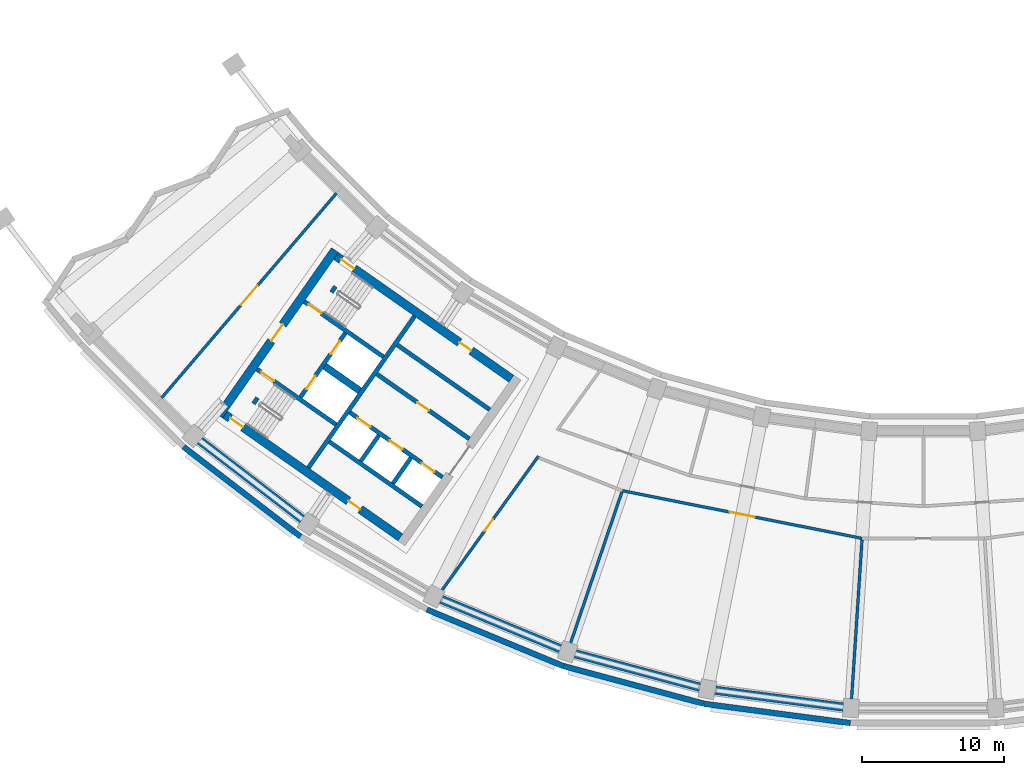
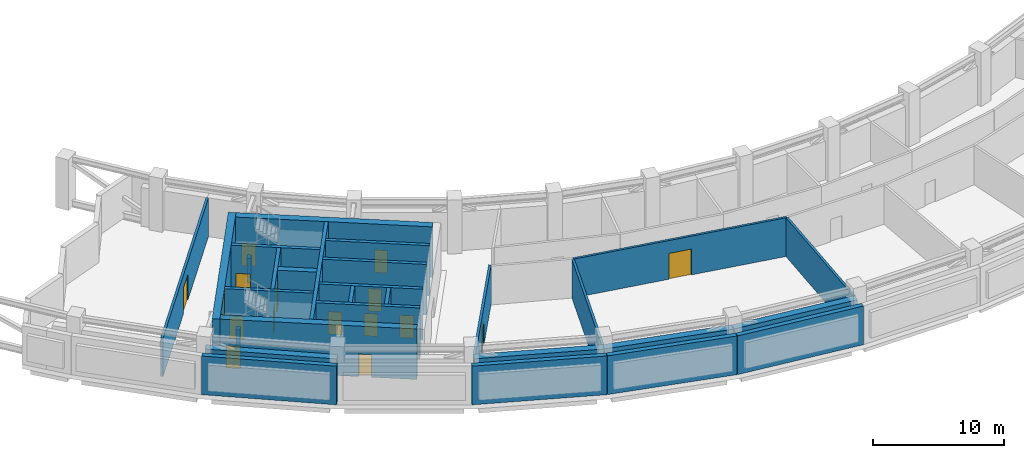
# One storey, part 5 of 24: 29 walls, 16 doors, 16 openings.
"""IFC4 building model written with IfcOpenShell, lengths in metres."""

from ifc_helpers import new_model, si_unit, direction, frame, frame_2d, origin, place, context, subcontext, project, spatial, rectangle, extrude, material, layer, layer_set, type_object, element, fill, save


model = new_model("IFC4")

# Units and contexts
model_context = context("Model", 3, precision=1e-05, world=origin(), true_north=direction((0.0, 1.0)))
body_context = subcontext(model_context, "Body", "Model", "MODEL_VIEW")
ifc_project = project(units=[si_unit("LENGTHUNIT", "METRE"), si_unit("AREAUNIT", "SQUARE_METRE"), si_unit("VOLUMEUNIT", "CUBIC_METRE"), si_unit("PLANEANGLEUNIT", "RADIAN"), si_unit("MASSUNIT", "GRAM", prefix="KILO")], contexts=[model_context])

# Site, building, storey
site_placement = place(None, origin())
site = spatial("IfcSite", under=ifc_project, at=site_placement, CompositionType="ELEMENT")
building_placement = place(site_placement, origin())
building = spatial("IfcBuilding", under=site, at=building_placement, Name="Qamariyya Broadcast Tower", CompositionType="ELEMENT")
storey_placement = place(building_placement, frame((0.0, 0.0, 198.699951171875)))
storey = spatial("IfcBuildingStorey", under=building, at=storey_placement, Name="L47", CompositionType="ELEMENT", Elevation=198.699951171875)

# Wall, opening, door
ifc_material_1 = material(Name="Concrete C60/75", Category="concrete")
ifc_layer_1 = layer(ifc_material_1, 0.60009765625)
ifc_layer_set_1 = layer_set([ifc_layer_1], Name="Core wall 600 mm Concrete C60/75")
wall_type_1 = type_object("IfcWallType", Name="Core wall 600 mm Concrete C60/75", PredefinedType="SHEAR", material=ifc_layer_set_1)
wall_1_placement = place(storey_placement, frame((-49.4833984375, -57.031494140625, 0.0), z_axis=(0.0, 0.0, 1.0), x_axis=(0.573560421458, 0.819163257805, 0.0)))
wall_1 = element("IfcWall", 1, at=wall_1_placement, inside=storey, type_object=wall_type_1, Name="k-W-L47-WH", PredefinedType="SHEAR", context=body_context, shape_type="SweptSolid", body=[
    extrude(rectangle(XDim=14.199951171875, YDim=0.60009765625, at=frame_2d((7.10009765625, 0.0))), origin(), (0.0, 0.0, 1.0), 4.699951171875),
])
opening_1_placement = place(wall_1_placement, frame((6.39990234375, 0.0, 0.0)))
opening_1 = element("IfcOpeningElement", 2, at=opening_1_placement, cuts=wall_1, Name="Opening KD2-W1", PredefinedType="OPENING", context=body_context, shape_type="SweptSolid", body=[
    extrude(rectangle(XDim=1.39990234375, YDim=2.10009765625, at=frame_2d((0.699951171875, 1.050048828125))), frame((0.0, 0.31005859375, 0.0), z_axis=(0.0, -1.0, 0.0), x_axis=(1.0, 0.0, 0.0)), (0.0, 0.0, 1.0), 0.6201171875),
])
ifc_material_2 = material(Name="Steel fire-resisting door leaf", Category="steel")
door_type_1 = type_object("IfcDoorType", Name="Fire-fighting lobby door KD2", OperationType="DOUBLE_DOOR_SINGLE_SWING", PredefinedType="DOOR", material=ifc_material_2)
door_1_placement = place(opening_1_placement, origin())
door_1 = element("IfcDoor", 3, at=door_1_placement, inside=storey, type_object=door_type_1, Name="k-W-L47-WH-D10", OperationType="DOUBLE_DOOR_SINGLE_SWING", OverallHeight=2.10009765625, OverallWidth=1.39990234375, PredefinedType="DOOR", context=body_context, shape_type="SweptSolid", body=[
    extrude(rectangle(XDim=1.39990234375, YDim=2.10009765625, at=frame_2d((0.699951171875, 1.050048828125))), frame((0.0, 0.02490234375, 0.0), z_axis=(0.0, -1.0, 0.0), x_axis=(1.0, 0.0, 0.0)), (0.0, 0.0, 1.0), 0.050048828125),
])
fill(opening_1, door_1)

# Wall, openings, doors
wall_2_placement = place(storey_placement, frame((-28.940673828125, -54.447021484375, 0.0), z_axis=(0.0, 0.0, 1.0), x_axis=(-0.819153391756, 0.573574511963, 0.0)))
wall_2 = element("IfcWall", 4, at=wall_2_placement, inside=storey, type_object=wall_type_1, Name="k-W-L47-WI", PredefinedType="SHEAR", context=body_context, shape_type="SweptSolid", body=[
    extrude(rectangle(XDim=15.04541015625, YDim=0.60009765625, at=frame_2d((7.522705078125, 0.0))), origin(), (0.0, 0.0, 1.0), 4.699951171875),
])
opening_2_placement = place(wall_2_placement, frame((3.449951171875, 0.0, 0.0)))
opening_2 = element("IfcOpeningElement", 5, at=opening_2_placement, cuts=wall_2, Name="Opening KD4-W2", PredefinedType="OPENING", context=body_context, shape_type="SweptSolid", body=[
    extrude(rectangle(XDim=1.0, YDim=2.10009765625, at=frame_2d((0.5, 1.050048828125))), frame((0.0, 0.31005859375, 0.0), z_axis=(0.0, -1.0, 0.0), x_axis=(1.0, 0.0, 0.0)), (0.0, 0.0, 1.0), 0.6201171875),
])
opening_3_placement = place(wall_2_placement, frame((13.495361328125, 0.0, 0.0)))
opening_3 = element("IfcOpeningElement", 6, at=opening_3_placement, cuts=wall_2, Name="Opening KD1-W1", PredefinedType="OPENING", context=body_context, shape_type="SweptSolid", body=[
    extrude(rectangle(XDim=1.10009765625, YDim=2.10009765625, at=frame_2d((0.550048828125, 1.050048828125))), frame((0.0, 0.31005859375, 0.0), z_axis=(0.0, -1.0, 0.0), x_axis=(1.0, 0.0, 0.0)), (0.0, 0.0, 1.0), 0.6201171875),
])
door_type_2 = type_object("IfcDoorType", Name="Riser and plant door KD4", OperationType="SINGLE_SWING_LEFT", PredefinedType="DOOR", material=ifc_material_2)
door_2_placement = place(opening_2_placement, origin())
door_2 = element("IfcDoor", 7, at=door_2_placement, inside=storey, type_object=door_type_2, Name="k-W-L47-WI-D6", OperationType="SINGLE_SWING_LEFT", OverallHeight=2.10009765625, OverallWidth=1.0, PredefinedType="DOOR", context=body_context, shape_type="SweptSolid", body=[
    extrude(rectangle(XDim=1.0, YDim=2.10009765625, at=frame_2d((0.5, 1.050048828125))), frame((0.0, 0.02490234375, 0.0), z_axis=(0.0, -1.0, 0.0), x_axis=(1.0, 0.0, 0.0)), (0.0, 0.0, 1.0), 0.050048828125),
])
fill(opening_2, door_2)
door_type_3 = type_object("IfcDoorType", Name="Stair door KD1", OperationType="SINGLE_SWING_LEFT", PredefinedType="DOOR", material=ifc_material_2)
door_3_placement = place(opening_3_placement, origin())
door_3 = element("IfcDoor", 8, at=door_3_placement, inside=storey, type_object=door_type_3, Name="k-W-L47-WI-D11", OperationType="SINGLE_SWING_RIGHT", OverallHeight=2.10009765625, OverallWidth=1.10009765625, PredefinedType="DOOR", context=body_context, shape_type="SweptSolid", body=[
    extrude(rectangle(XDim=1.10009765625, YDim=2.10009765625, at=frame_2d((0.550048828125, 1.050048828125))), frame((0.0, 0.02490234375, 0.0), z_axis=(0.0, -1.0, 0.0), x_axis=(1.0, 0.0, 0.0)), (0.0, 0.0, 1.0), 0.050048828125),
])
fill(opening_3, door_3)

wall_3_placement = place(storey_placement, frame((-36.7412109375, -65.58740234375, 0.0), z_axis=(0.0, 0.0, 1.0), x_axis=(-0.819153391756, 0.573574511963, 0.0)))
wall_3 = element("IfcWall", 9, at=wall_3_placement, inside=storey, type_object=wall_type_1, Name="k-W-L47-WO", PredefinedType="SHEAR", context=body_context, shape_type="SweptSolid", body=[
    extrude(rectangle(XDim=15.04541015625, YDim=0.60009765625, at=frame_2d((7.522705078125, 0.0))), origin(), (0.0, 0.0, 1.0), 4.699951171875),
])
opening_4_placement = place(wall_3_placement, frame((3.449951171875, 0.0, 0.0)))
opening_4 = element("IfcOpeningElement", 10, at=opening_4_placement, cuts=wall_3, Name="Opening KD4-W3", PredefinedType="OPENING", context=body_context, shape_type="SweptSolid", body=[
    extrude(rectangle(XDim=1.0, YDim=2.10009765625, at=frame_2d((0.5, 1.050048828125))), frame((0.0, 0.31005859375, 0.0), z_axis=(0.0, -1.0, 0.0), x_axis=(1.0, 0.0, 0.0)), (0.0, 0.0, 1.0), 0.6201171875),
])
opening_5_placement = place(wall_3_placement, frame((13.495361328125, 0.0, 0.0)))
opening_5 = element("IfcOpeningElement", 11, at=opening_5_placement, cuts=wall_3, Name="Opening KD1-W3", PredefinedType="OPENING", context=body_context, shape_type="SweptSolid", body=[
    extrude(rectangle(XDim=1.10009765625, YDim=2.10009765625, at=frame_2d((0.550048828125, 1.050048828125))), frame((0.0, 0.31005859375, 0.0), z_axis=(0.0, -1.0, 0.0), x_axis=(1.0, 0.0, 0.0)), (0.0, 0.0, 1.0), 0.6201171875),
])
door_4_placement = place(opening_4_placement, origin())
door_4 = element("IfcDoor", 12, at=door_4_placement, inside=storey, type_object=door_type_2, Name="k-W-L47-WO-D7", OperationType="SINGLE_SWING_RIGHT", OverallHeight=2.10009765625, OverallWidth=1.0, PredefinedType="DOOR", context=body_context, shape_type="SweptSolid", body=[
    extrude(rectangle(XDim=1.0, YDim=2.10009765625, at=frame_2d((0.5, 1.050048828125))), frame((0.0, 0.02490234375, 0.0), z_axis=(0.0, -1.0, 0.0), x_axis=(1.0, 0.0, 0.0)), (0.0, 0.0, 1.0), 0.050048828125),
])
fill(opening_4, door_4)
door_5_placement = place(opening_5_placement, origin())
door_5 = element("IfcDoor", 13, at=door_5_placement, inside=storey, type_object=door_type_3, Name="k-W-L47-WO-D13", OperationType="SINGLE_SWING_LEFT", OverallHeight=2.10009765625, OverallWidth=1.10009765625, PredefinedType="DOOR", context=body_context, shape_type="SweptSolid", body=[
    extrude(rectangle(XDim=1.10009765625, YDim=2.10009765625, at=frame_2d((0.550048828125, 1.050048828125))), frame((0.0, 0.02490234375, 0.0), z_axis=(0.0, -1.0, 0.0), x_axis=(1.0, 0.0, 0.0)), (0.0, 0.0, 1.0), 0.050048828125),
])
fill(opening_5, door_5)

# Walls
ifc_layer_2 = layer(ifc_material_1, 0.5)
ifc_layer_set_2 = layer_set([ifc_layer_2], Name="Fire-fighting lobby divider wall 500 mm Concrete C60/75")
wall_type_2 = type_object("IfcWallType", Name="Fire-fighting lobby divider wall 500 mm Concrete C60/75", PredefinedType="SOLIDWALL", material=ifc_layer_set_2)
wall_4_placement = place(storey_placement, frame((-39.59912109375, -55.28515625, 0.0), z_axis=(0.0, 0.0, 1.0), x_axis=(-0.819136323161, 0.573598887793, 0.0)))
element("IfcWall", 14, at=wall_4_placement, inside=storey, type_object=wall_type_2, Name="k-W-L47-FD", PredefinedType="SOLIDWALL", context=body_context, shape_type="SweptSolid", body=[
    extrude(rectangle(XDim=2.999755859375, YDim=0.5, at=frame_2d((1.5, 0.0))), origin(), (0.0, 0.0, 1.0), 4.699951171875),
])
ifc_layer_3 = layer(ifc_material_1, 0.300048828125)
ifc_layer_set_3 = layer_set([ifc_layer_3], Name="Lift shaft wall 300 mm Concrete C60/75")
wall_type_3 = type_object("IfcWallType", Name="Lift shaft wall 300 mm Concrete C60/75", PredefinedType="SOLIDWALL", material=ifc_layer_set_3)
wall_5_placement = place(storey_placement, frame((-43.204345703125, -60.69580078125, 0.0), z_axis=(0.0, 0.0, 1.0), x_axis=(0.573571992966, 0.819155155563, 0.0)))
element("IfcWall", 15, at=wall_5_placement, inside=storey, type_object=wall_type_3, Name="k-W-L47-WL", PredefinedType="SOLIDWALL", context=body_context, shape_type="SweptSolid", body=[
    extrude(rectangle(XDim=13.000244140625, YDim=0.300048828125, at=frame_2d((6.5, 0.0))), origin(), (0.0, 0.0, 1.0), 4.699951171875),
])

# Wall, opening, door
wall_6_placement = place(storey_placement, frame((-31.89453125, -58.66552734375, 0.0), z_axis=(0.0, 0.0, 1.0), x_axis=(-0.819166993208, 0.573555086491, 0.0)))
wall_6 = element("IfcWall", 16, at=wall_6_placement, inside=storey, type_object=wall_type_3, Name="k-W-L47-NF0", PredefinedType="SOLIDWALL", context=body_context, shape_type="SweptSolid", body=[
    extrude(rectangle(XDim=7.9501953125, YDim=0.300048828125, at=frame_2d((3.97509765625, 0.0))), origin(), (0.0, 0.0, 1.0), 4.699951171875),
])
opening_6_placement = place(wall_6_placement, frame((3.47509765625, 0.0, 0.0)))
opening_6 = element("IfcOpeningElement", 17, at=opening_6_placement, cuts=wall_6, Name="Opening KD4-W1", PredefinedType="OPENING", context=body_context, shape_type="SweptSolid", body=[
    extrude(rectangle(XDim=1.0, YDim=2.10009765625, at=frame_2d((0.5, 1.050048828125))), frame((0.0, 0.159912109375, 0.0), z_axis=(0.0, -1.0, 0.0), x_axis=(1.0, 0.0, 0.0)), (0.0, 0.0, 1.0), 0.320068359375),
])
door_6_placement = place(opening_6_placement, origin())
door_6 = element("IfcDoor", 18, at=door_6_placement, inside=storey, type_object=door_type_2, Name="k-W-L47-NF0-D2", OperationType="SINGLE_SWING_LEFT", OverallHeight=2.10009765625, OverallWidth=1.0, PredefinedType="DOOR", context=body_context, shape_type="SweptSolid", body=[
    extrude(rectangle(XDim=1.0, YDim=2.10009765625, at=frame_2d((0.5, 1.050048828125))), frame((0.0, 0.02490234375, 0.0), z_axis=(0.0, -1.0, 0.0), x_axis=(1.0, 0.0, 0.0)), (0.0, 0.0, 1.0), 0.050048828125),
])
fill(opening_6, door_6)

# Wall
wall_7_placement = place(storey_placement, frame((-30.460693359375, -56.61767578125, 0.0), z_axis=(0.0, 0.0, 1.0), x_axis=(-0.819142461705, 0.573590121456, 0.0)))
element("IfcWall", 19, at=wall_7_placement, inside=storey, type_object=wall_type_3, Name="k-W-L47-NB0", PredefinedType="SOLIDWALL", context=body_context, shape_type="SweptSolid", body=[
    extrude(rectangle(XDim=7.949951171875, YDim=0.300048828125, at=frame_2d((3.97509765625, 0.0))), origin(), (0.0, 0.0, 1.0), 4.699951171875),
])

# Wall, openings, doors
wall_8_placement = place(storey_placement, frame((-33.787353515625, -61.368896484375, 0.0), z_axis=(0.0, 0.0, 1.0), x_axis=(-0.819152564888, 0.573575692858, 0.0)))
wall_8 = element("IfcWall", 20, at=wall_8_placement, inside=storey, type_object=wall_type_3, Name="k-W-L47-SF0", PredefinedType="SOLIDWALL", context=body_context, shape_type="SweptSolid", body=[
    extrude(rectangle(XDim=7.9501953125, YDim=0.300048828125, at=frame_2d((3.97509765625, 0.0))), origin(), (0.0, 0.0, 1.0), 4.699951171875),
])
opening_7_placement = place(wall_8_placement, frame((0.675048828125, 0.0, 0.0)))
opening_7 = element("IfcOpeningElement", 21, at=opening_7_placement, cuts=wall_8, Name="Opening LD", PredefinedType="OPENING", context=body_context, shape_type="SweptSolid", body=[
    extrude(rectangle(XDim=1.10009765625, YDim=2.10009765625, at=frame_2d((0.550048828125, 1.050048828125))), frame((0.0, 0.159912109375, 0.0), z_axis=(0.0, -1.0, 0.0), x_axis=(1.0, 0.0, 0.0)), (0.0, 0.0, 1.0), 0.320068359375),
])
opening_8_placement = place(wall_8_placement, frame((3.425048828125, 0.0, 0.0)))
opening_8 = element("IfcOpeningElement", 22, at=opening_8_placement, cuts=wall_8, Name="Opening LD", PredefinedType="OPENING", context=body_context, shape_type="SweptSolid", body=[
    extrude(rectangle(XDim=1.10009765625, YDim=2.10009765625, at=frame_2d((0.550048828125, 1.050048828125))), frame((0.0, 0.159912109375, 0.0), z_axis=(0.0, -1.0, 0.0), x_axis=(1.0, 0.0, 0.0)), (0.0, 0.0, 1.0), 0.320068359375),
])
opening_9_placement = place(wall_8_placement, frame((6.175048828125, 0.0, 0.0)))
opening_9 = element("IfcOpeningElement", 23, at=opening_9_placement, cuts=wall_8, Name="Opening LD", PredefinedType="OPENING", context=body_context, shape_type="SweptSolid", body=[
    extrude(rectangle(XDim=1.10009765625, YDim=2.10009765625, at=frame_2d((0.550048828125, 1.050048828125))), frame((0.0, 0.159912109375, 0.0), z_axis=(0.0, -1.0, 0.0), x_axis=(1.0, 0.0, 0.0)), (0.0, 0.0, 1.0), 0.320068359375),
])
door_type_4 = type_object("IfcDoorType", Name="Lift landing door LD", OperationType="DOUBLE_DOOR_SLIDING", PredefinedType="DOOR", material=ifc_material_2)
door_7_placement = place(opening_7_placement, origin())
door_7 = element("IfcDoor", 24, at=door_7_placement, inside=storey, type_object=door_type_4, Name="k-W-L47-SF0-D3", OperationType="DOUBLE_DOOR_SLIDING", OverallHeight=2.10009765625, OverallWidth=1.10009765625, PredefinedType="DOOR", context=body_context, shape_type="SweptSolid", body=[
    extrude(rectangle(XDim=1.10009765625, YDim=2.10009765625, at=frame_2d((0.550048828125, 1.050048828125))), frame((0.0, 0.02490234375, 0.0), z_axis=(0.0, -1.0, 0.0), x_axis=(1.0, 0.0, 0.0)), (0.0, 0.0, 1.0), 0.050048828125),
])
fill(opening_7, door_7)
door_8_placement = place(opening_8_placement, origin())
door_8 = element("IfcDoor", 25, at=door_8_placement, inside=storey, type_object=door_type_4, Name="k-W-L47-SF0-D4", OperationType="DOUBLE_DOOR_SLIDING", OverallHeight=2.10009765625, OverallWidth=1.10009765625, PredefinedType="DOOR", context=body_context, shape_type="SweptSolid", body=[
    extrude(rectangle(XDim=1.10009765625, YDim=2.10009765625, at=frame_2d((0.550048828125, 1.050048828125))), frame((0.0, 0.02490234375, 0.0), z_axis=(0.0, -1.0, 0.0), x_axis=(1.0, 0.0, 0.0)), (0.0, 0.0, 1.0), 0.050048828125),
])
fill(opening_8, door_8)
door_9_placement = place(opening_9_placement, origin())
door_9 = element("IfcDoor", 26, at=door_9_placement, inside=storey, type_object=door_type_4, Name="k-W-L47-SF0-D5", OperationType="DOUBLE_DOOR_SLIDING", OverallHeight=2.10009765625, OverallWidth=1.10009765625, PredefinedType="DOOR", context=body_context, shape_type="SweptSolid", body=[
    extrude(rectangle(XDim=1.10009765625, YDim=2.10009765625, at=frame_2d((0.550048828125, 1.050048828125))), frame((0.0, 0.02490234375, 0.0), z_axis=(0.0, -1.0, 0.0), x_axis=(1.0, 0.0, 0.0)), (0.0, 0.0, 1.0), 0.050048828125),
])
fill(opening_9, door_9)

# Walls
wall_9_placement = place(storey_placement, frame((-35.22119140625, -63.41650390625, 0.0), z_axis=(0.0, 0.0, 1.0), x_axis=(-0.819166993208, 0.573555086491, 0.0)))
element("IfcWall", 27, at=wall_9_placement, inside=storey, type_object=wall_type_3, Name="k-W-L47-SB0", PredefinedType="SOLIDWALL", context=body_context, shape_type="SweptSolid", body=[
    extrude(rectangle(XDim=7.9501953125, YDim=0.300048828125, at=frame_2d((3.97509765625, 0.0))), origin(), (0.0, 0.0, 1.0), 4.699951171875),
])
wall_10_placement = place(storey_placement, frame((-36.003173828125, -60.000244140625, 0.0), z_axis=(0.0, 0.0, 1.0), x_axis=(-0.573581496053, -0.819148501424, 0.0)))
element("IfcWall", 28, at=wall_10_placement, inside=storey, type_object=wall_type_3, Name="k-W-L47-SD0", PredefinedType="SOLIDWALL", context=body_context, shape_type="SweptSolid", body=[
    extrude(rectangle(XDim=2.2001953125, YDim=0.300048828125, at=frame_2d((1.10009765625, 0.0))), origin(), (0.0, 0.0, 1.0), 4.699951171875),
])
wall_11_placement = place(storey_placement, frame((-38.255859375, -58.423095703125, 0.0), z_axis=(0.0, 0.0, 1.0), x_axis=(-0.573633636671, -0.819111989218, 0.0)))
element("IfcWall", 29, at=wall_11_placement, inside=storey, type_object=wall_type_3, Name="k-W-L47-SD1", PredefinedType="SOLIDWALL", context=body_context, shape_type="SweptSolid", body=[
    extrude(rectangle(XDim=2.199951171875, YDim=0.300048828125, at=frame_2d((1.10009765625, 0.0))), origin(), (0.0, 0.0, 1.0), 4.699951171875),
])

# Wall, opening, door
wall_12_placement = place(storey_placement, frame((-37.935546875, -52.90966796875, 0.0), z_axis=(0.0, 0.0, 1.0), x_axis=(-0.819147518138, 0.57358290031, 0.0)))
wall_12 = element("IfcWall", 30, at=wall_12_placement, inside=storey, type_object=wall_type_3, Name="k-W-L47-NW", PredefinedType="SOLIDWALL", context=body_context, shape_type="SweptSolid", body=[
    extrude(rectangle(XDim=6.79541015625, YDim=0.300048828125, at=frame_2d((3.397705078125, 0.0))), origin(), (0.0, 0.0, 1.0), 4.699951171875),
])
opening_10_placement = place(wall_12_placement, frame((5.3203125, 0.0, 0.0)))
opening_10 = element("IfcOpeningElement", 31, at=opening_10_placement, cuts=wall_12, Name="Opening KD1-W2", PredefinedType="OPENING", context=body_context, shape_type="SweptSolid", body=[
    extrude(rectangle(XDim=1.10009765625, YDim=2.10009765625, at=frame_2d((0.550048828125, 1.050048828125))), frame((0.0, 0.159912109375, 0.0), z_axis=(0.0, -1.0, 0.0), x_axis=(1.0, 0.0, 0.0)), (0.0, 0.0, 1.0), 0.320068359375),
])
door_10_placement = place(opening_10_placement, origin())
door_10 = element("IfcDoor", 32, at=door_10_placement, inside=storey, type_object=door_type_3, Name="k-W-L47-NW-D12", OperationType="SINGLE_SWING_LEFT", OverallHeight=2.10009765625, OverallWidth=1.10009765625, PredefinedType="DOOR", context=body_context, shape_type="SweptSolid", body=[
    extrude(rectangle(XDim=1.10009765625, YDim=2.10009765625, at=frame_2d((0.550048828125, 1.050048828125))), frame((0.0, 0.02490234375, 0.0), z_axis=(0.0, -1.0, 0.0), x_axis=(1.0, 0.0, 0.0)), (0.0, 0.0, 1.0), 0.050048828125),
])
fill(opening_10, door_10)

wall_13_placement = place(storey_placement, frame((-41.262451171875, -57.66064453125, 0.0), z_axis=(0.0, 0.0, 1.0), x_axis=(-0.819164398642, 0.573558792102, 0.0)))
wall_13 = element("IfcWall", 33, at=wall_13_placement, inside=storey, type_object=wall_type_3, Name="k-W-L47-SW", PredefinedType="SOLIDWALL", context=body_context, shape_type="SweptSolid", body=[
    extrude(rectangle(XDim=6.795166015625, YDim=0.300048828125, at=frame_2d((3.3974609375, 0.0))), origin(), (0.0, 0.0, 1.0), 4.699951171875),
])
opening_11_placement = place(wall_13_placement, frame((5.3203125, 0.0, 0.0)))
opening_11 = element("IfcOpeningElement", 34, at=opening_11_placement, cuts=wall_13, Name="Opening KD1-W4", PredefinedType="OPENING", context=body_context, shape_type="SweptSolid", body=[
    extrude(rectangle(XDim=1.10009765625, YDim=2.10009765625, at=frame_2d((0.550048828125, 1.050048828125))), frame((0.0, 0.159912109375, 0.0), z_axis=(0.0, -1.0, 0.0), x_axis=(1.0, 0.0, 0.0)), (0.0, 0.0, 1.0), 0.320068359375),
])
door_11_placement = place(opening_11_placement, origin())
door_11 = element("IfcDoor", 35, at=door_11_placement, inside=storey, type_object=door_type_3, Name="k-W-L47-SW-D14", OperationType="SINGLE_SWING_LEFT", OverallHeight=2.10009765625, OverallWidth=1.10009765625, PredefinedType="DOOR", context=body_context, shape_type="SweptSolid", body=[
    extrude(rectangle(XDim=1.10009765625, YDim=2.10009765625, at=frame_2d((0.550048828125, 1.050048828125))), frame((0.0, 0.02490234375, 0.0), z_axis=(0.0, -1.0, 0.0), x_axis=(1.0, 0.0, 0.0)), (0.0, 0.0, 1.0), 0.050048828125),
])
fill(opening_11, door_11)

# Wall, openings, doors
wall_14_placement = place(storey_placement, frame((-43.756591796875, -55.731201171875, 0.0), z_axis=(0.0, 0.0, 1.0), x_axis=(0.573536818435, 0.819179783625, 0.0)))
wall_14 = element("IfcWall", 36, at=wall_14_placement, inside=storey, type_object=wall_type_3, Name="k-W-L47-FF", PredefinedType="SOLIDWALL", context=body_context, shape_type="SweptSolid", body=[
    extrude(rectangle(XDim=5.500244140625, YDim=0.300048828125, at=frame_2d((2.75, 0.0))), origin(), (0.0, 0.0, 1.0), 4.699951171875),
])
opening_12_placement = place(wall_14_placement, frame((0.699951171875, 0.0, 0.0)))
opening_12 = element("IfcOpeningElement", 37, at=opening_12_placement, cuts=wall_14, Name="Opening LD", PredefinedType="OPENING", context=body_context, shape_type="SweptSolid", body=[
    extrude(rectangle(XDim=1.10009765625, YDim=2.10009765625, at=frame_2d((0.550048828125, 1.050048828125))), frame((0.0, 0.159912109375, 0.0), z_axis=(0.0, -1.0, 0.0), x_axis=(1.0, 0.0, 0.0)), (0.0, 0.0, 1.0), 0.320068359375),
])
opening_13_placement = place(wall_14_placement, frame((3.699951171875, 0.0, 0.0)))
opening_13 = element("IfcOpeningElement", 38, at=opening_13_placement, cuts=wall_14, Name="Opening LD", PredefinedType="OPENING", context=body_context, shape_type="SweptSolid", body=[
    extrude(rectangle(XDim=1.10009765625, YDim=2.10009765625, at=frame_2d((0.550048828125, 1.050048828125))), frame((0.0, 0.159912109375, 0.0), z_axis=(0.0, -1.0, 0.0), x_axis=(1.0, 0.0, 0.0)), (0.0, 0.0, 1.0), 0.320068359375),
])
door_12_placement = place(opening_12_placement, origin())
door_12 = element("IfcDoor", 39, at=door_12_placement, inside=storey, type_object=door_type_4, Name="k-W-L47-FF-D8", OperationType="DOUBLE_DOOR_SLIDING", OverallHeight=2.10009765625, OverallWidth=1.10009765625, PredefinedType="DOOR", context=body_context, shape_type="SweptSolid", body=[
    extrude(rectangle(XDim=1.10009765625, YDim=2.10009765625, at=frame_2d((0.550048828125, 1.050048828125))), frame((0.0, 0.02490234375, 0.0), z_axis=(0.0, -1.0, 0.0), x_axis=(1.0, 0.0, 0.0)), (0.0, 0.0, 1.0), 0.050048828125),
])
fill(opening_12, door_12)
door_13_placement = place(opening_13_placement, origin())
door_13 = element("IfcDoor", 40, at=door_13_placement, inside=storey, type_object=door_type_4, Name="k-W-L47-FF-D9", OperationType="DOUBLE_DOOR_SLIDING", OverallHeight=2.10009765625, OverallWidth=1.10009765625, PredefinedType="DOOR", context=body_context, shape_type="SweptSolid", body=[
    extrude(rectangle(XDim=1.10009765625, YDim=2.10009765625, at=frame_2d((0.550048828125, 1.050048828125))), frame((0.0, 0.02490234375, 0.0), z_axis=(0.0, -1.0, 0.0), x_axis=(1.0, 0.0, 0.0)), (0.0, 0.0, 1.0), 0.050048828125),
])
fill(opening_13, door_13)

# Walls
wall_15_placement = place(storey_placement, frame((-41.5869140625, -48.369140625, 0.0), z_axis=(0.0, 0.0, 1.0), x_axis=(0.573495128918, 0.819208970354, 0.0)))
element("IfcWall", 41, at=wall_15_placement, inside=storey, type_object=wall_type_3, Name="k-W-L47-W2PR", PredefinedType="SOLIDWALL", context=body_context, shape_type="SweptSolid", body=[
    extrude(rectangle(XDim=0.499755859375, YDim=0.300048828125, at=frame_2d((0.25, 0.0))), origin(), (0.0, 0.0, 1.0), 2.300048828125),
])
wall_16_placement = place(storey_placement, frame((-47.064697265625, -56.19189453125, 0.0), z_axis=(0.0, 0.0, 1.0), x_axis=(0.573822822947, 0.818979467304, 0.0)))
element("IfcWall", 42, at=wall_16_placement, inside=storey, type_object=wall_type_3, Name="k-W-L47-W1PR", PredefinedType="SOLIDWALL", context=body_context, shape_type="SweptSolid", body=[
    extrude(rectangle(XDim=0.5, YDim=0.300048828125, at=frame_2d((0.25, 0.0))), origin(), (0.0, 0.0, 1.0), 2.300048828125),
])

# Wall, opening, door
ifc_material_3 = material(Name="Masonry block wall", Category="masonry")
ifc_layer_4 = layer(ifc_material_3, 0.199951171875)
ifc_layer_set_4 = layer_set([ifc_layer_4], Name="Plant room wall 200 EI 120")
wall_type_4 = type_object("IfcWallType", Name="Plant room wall 200 EI 120", PredefinedType="PARTITIONING", material=ifc_layer_set_4)
wall_17_placement = place(storey_placement, frame((-53.516357421875, -55.780517578125, 0.0), z_axis=(0.0, 0.0, 1.0), x_axis=(0.64962900246, 0.760251378929, 0.0)))
wall_17 = element("IfcWall", 43, at=wall_17_placement, inside=storey, type_object=wall_type_4, Name="Partition L47-008", PredefinedType="PARTITIONING", context=body_context, shape_type="SweptSolid", body=[
    extrude(rectangle(XDim=18.918212890625, YDim=0.199951171875, at=frame_2d((9.458984375, 0.0))), origin(), (0.0, 0.0, 1.0), 3.60009765625),
])
opening_14_placement = place(wall_17_placement, frame((8.55908203125, 0.0, 0.0)))
opening_14 = element("IfcOpeningElement", 44, at=opening_14_placement, cuts=wall_17, Name="Opening L47-D11", PredefinedType="OPENING", context=body_context, shape_type="SweptSolid", body=[
    extrude(rectangle(XDim=1.800048828125, YDim=2.39990234375, at=frame_2d((0.89990234375, 1.199951171875))), frame((0.0, 0.10986328125, 0.0), z_axis=(0.0, -1.0, 0.0), x_axis=(1.0, 0.0, 0.0)), (0.0, 0.0, 1.0), 0.219970703125),
])
ifc_material_4 = material(Name="Insulated metal door leaf")
door_type_5 = type_object("IfcDoorType", Name="Plant double door 1800 x 2400 FD120", OperationType="NOTDEFINED", PredefinedType="DOOR", material=ifc_material_4)
door_14_placement = place(opening_14_placement, origin())
door_14 = element("IfcDoor", 45, at=door_14_placement, inside=storey, type_object=door_type_5, Name="Door L47-D11", OperationType="DOUBLE_DOOR_SINGLE_SWING", OverallHeight=2.39990234375, OverallWidth=1.800048828125, PredefinedType="DOOR", context=body_context, shape_type="SweptSolid", body=[
    extrude(rectangle(XDim=1.800048828125, YDim=2.39990234375, at=frame_2d((0.89990234375, 1.199951171875))), frame((0.0, 0.02490234375, 0.0), z_axis=(0.0, -1.0, 0.0), x_axis=(1.0, 0.0, 0.0)), (0.0, 0.0, 1.0), 0.050048828125),
])
fill(opening_14, door_14)

wall_18_placement = place(storey_placement, frame((-27.042236328125, -59.878662109375, 0.0), z_axis=(0.0, 0.0, 1.0), x_axis=(-0.584170590376, -0.811630902159, 0.0)))
wall_18 = element("IfcWall", 46, at=wall_18_placement, inside=storey, type_object=wall_type_4, Name="Partition L47-013", PredefinedType="PARTITIONING", context=body_context, shape_type="SweptSolid", body=[
    extrude(rectangle(XDim=11.939697265625, YDim=0.199951171875, at=frame_2d((5.9697265625, 0.0))), origin(), (0.0, 0.0, 1.0), 3.60009765625),
])
opening_15_placement = place(wall_18_placement, frame((5.4697265625, 0.0, 0.0)))
opening_15 = element("IfcOpeningElement", 47, at=opening_15_placement, cuts=wall_18, Name="Opening L47-D01", PredefinedType="OPENING", context=body_context, shape_type="SweptSolid", body=[
    extrude(rectangle(XDim=1.0, YDim=2.10009765625, at=frame_2d((0.5, 1.050048828125))), frame((0.0, 0.10986328125, 0.0), z_axis=(0.0, -1.0, 0.0), x_axis=(1.0, 0.0, 0.0)), (0.0, 0.0, 1.0), 0.219970703125),
])
door_type_6 = type_object("IfcDoorType", Name="Plant door 1000 x 2100 FD120", OperationType="NOTDEFINED", PredefinedType="DOOR", material=ifc_material_4)
door_15_placement = place(opening_15_placement, origin())
door_15 = element("IfcDoor", 48, at=door_15_placement, inside=storey, type_object=door_type_6, Name="Door L47-D01", OperationType="SINGLE_SWING_RIGHT", OverallHeight=2.10009765625, OverallWidth=1.0, PredefinedType="DOOR", context=body_context, shape_type="SweptSolid", body=[
    extrude(rectangle(XDim=1.0, YDim=2.10009765625, at=frame_2d((0.5, 1.050048828125))), frame((0.0, 0.02490234375, 0.0), z_axis=(0.0, -1.0, 0.0), x_axis=(1.0, 0.0, 0.0)), (0.0, 0.0, 1.0), 0.050048828125),
])
fill(opening_15, door_15)

# Wall
wall_19_placement = place(storey_placement, frame((-24.8955078125, -73.33984375, 0.0), z_axis=(0.0, 0.0, 1.0), x_axis=(0.321435459645, 0.946931489223, 0.0)))
element("IfcWall", 49, at=wall_19_placement, inside=storey, type_object=wall_type_4, Name="Partition L47-017", PredefinedType="PARTITIONING", context=body_context, shape_type="SweptSolid", body=[
    extrude(rectangle(XDim=11.55029296875, YDim=0.199951171875, at=frame_2d((5.775146484375, 0.0))), origin(), (0.0, 0.0, 1.0), 3.60009765625),
])

# Wall, opening, door
wall_20_placement = place(storey_placement, frame((-4.303466796875, -65.6591796875, 0.0), z_axis=(0.0, 0.0, 1.0), x_axis=(-0.980785679695, 0.195088314632, 0.0)))
wall_20 = element("IfcWall", 50, at=wall_20_placement, inside=storey, type_object=wall_type_4, Name="Partition L47-021", PredefinedType="PARTITIONING", context=body_context, shape_type="SweptSolid", body=[
    extrude(rectangle(XDim=17.17724609375, YDim=0.199951171875, at=frame_2d((8.588623046875, 0.0))), origin(), (0.0, 0.0, 1.0), 3.60009765625),
])
opening_16_placement = place(wall_20_placement, frame((7.688720703125, 0.0, 0.0)))
opening_16 = element("IfcOpeningElement", 51, at=opening_16_placement, cuts=wall_20, Name="Opening L47-D02", PredefinedType="OPENING", context=body_context, shape_type="SweptSolid", body=[
    extrude(rectangle(XDim=1.800048828125, YDim=2.39990234375, at=frame_2d((0.89990234375, 1.199951171875))), frame((0.0, 0.10986328125, 0.0), z_axis=(0.0, -1.0, 0.0), x_axis=(1.0, 0.0, 0.0)), (0.0, 0.0, 1.0), 0.219970703125),
])
door_16_placement = place(opening_16_placement, origin())
door_16 = element("IfcDoor", 52, at=door_16_placement, inside=storey, type_object=door_type_5, Name="Door L47-D02", OperationType="DOUBLE_DOOR_SINGLE_SWING", OverallHeight=2.39990234375, OverallWidth=1.800048828125, PredefinedType="DOOR", context=body_context, shape_type="SweptSolid", body=[
    extrude(rectangle(XDim=1.800048828125, YDim=2.39990234375, at=frame_2d((0.89990234375, 1.199951171875))), frame((0.0, 0.02490234375, 0.0), z_axis=(0.0, -1.0, 0.0), x_axis=(1.0, 0.0, 0.0)), (0.0, 0.0, 1.0), 0.050048828125),
])
fill(opening_16, door_16)

# Walls
wall_21_placement = place(storey_placement, frame((-5.0654296875, -77.2841796875, 0.0), z_axis=(0.0, 0.0, 1.0), x_axis=(0.065399429308, 0.997859165737, 0.0)))
element("IfcWall", 53, at=wall_21_placement, inside=storey, type_object=wall_type_4, Name="Partition L47-031", PredefinedType="PARTITIONING", context=body_context, shape_type="SweptSolid", body=[
    extrude(rectangle(XDim=11.550048828125, YDim=0.199951171875, at=frame_2d((5.77490234375, 0.0))), origin(), (0.0, 0.0, 1.0), 3.60009765625),
])
ifc_material_5 = material(Name="Terracotta", Category="masonry")
ifc_layer_5 = layer(ifc_material_5, 0.39990234375)
ifc_layer_set_5 = layer_set([ifc_layer_5], Name="Terracotta clad plant wall 400")
wall_type_5 = type_object("IfcWallType", Name="Terracotta clad plant wall 400", PredefinedType="SOLIDWALL", material=ifc_layer_set_5)
wall_22_placement = place(storey_placement, frame((-51.97607421875, -59.2294921875, 0.0), z_axis=(0.0, 0.0, 1.0), x_axis=(0.793361215265, -0.608751166006, 0.0)))
element("IfcWall", 54, at=wall_22_placement, inside=storey, type_object=wall_type_5, Name="e-wl-L47-out20", PredefinedType="SOLIDWALL", context=body_context, shape_type="SweptSolid", body=[
    extrude(rectangle(XDim=10.357666015625, YDim=0.39990234375, at=frame_2d((5.1787109375, 0.0))), origin(), (0.0, 0.0, 1.0), 3.60009765625),
])
wall_23_placement = place(storey_placement, frame((-34.875244140625, -70.66357421875, 0.0), z_axis=(0.0, 0.0, 1.0), x_axis=(0.923880370694, -0.382681408808, 0.0)))
element("IfcWall", 55, at=wall_23_placement, inside=storey, type_object=wall_type_5, Name="e-wl-L47-out40", PredefinedType="SOLIDWALL", context=body_context, shape_type="SweptSolid", body=[
    extrude(rectangle(XDim=10.357421875, YDim=0.39990234375, at=frame_2d((5.1787109375, 0.0))), origin(), (0.0, 0.0, 1.0), 3.60009765625),
])
wall_24_placement = place(storey_placement, frame((-25.2802734375, -74.630859375, 0.0), z_axis=(0.0, 0.0, 1.0), x_axis=(0.965928938661, -0.258807429292, 0.0)))
element("IfcWall", 56, at=wall_24_placement, inside=storey, type_object=wall_type_5, Name="e-wl-L47-out50", PredefinedType="SOLIDWALL", context=body_context, shape_type="SweptSolid", body=[
    extrude(rectangle(XDim=10.205810546875, YDim=0.39990234375, at=frame_2d((5.10302734375, 0.0))), origin(), (0.0, 0.0, 1.0), 3.60009765625),
])
wall_25_placement = place(storey_placement, frame((-15.397705078125, -77.2822265625, 0.0), z_axis=(0.0, 0.0, 1.0), x_axis=(0.991446190382, -0.130516097005, 0.0)))
element("IfcWall", 57, at=wall_25_placement, inside=storey, type_object=wall_type_5, Name="e-wl-L47-out60", PredefinedType="SOLIDWALL", context=body_context, shape_type="SweptSolid", body=[
    extrude(rectangle(XDim=10.357421875, YDim=0.39990234375, at=frame_2d((5.1787109375, 0.0))), origin(), (0.0, 0.0, 1.0), 3.60009765625),
])
ifc_layer_6 = layer(ifc_material_3, 0.60009765625)
ifc_layer_set_6 = layer_set([ifc_layer_6], Name="Truss casing wall 600 EI 120")
wall_type_6 = type_object("IfcWallType", Name="Truss casing wall 600 EI 120", PredefinedType="PARTITIONING", material=ifc_layer_set_6)
wall_26_placement = place(storey_placement, frame((-51.24609375, -58.46923828125, 0.0), z_axis=(0.0, 0.0, 1.0), x_axis=(0.793339659144, -0.608779258212, 0.0)))
element("IfcWall", 58, at=wall_26_placement, inside=storey, type_object=wall_type_6, Name="Partition L47-004", PredefinedType="PARTITIONING", context=body_context, shape_type="SweptSolid", body=[
    extrude(rectangle(XDim=10.125, YDim=0.60009765625, at=frame_2d((5.0625, 0.0))), origin(), (0.0, 0.0, 1.0), 3.60009765625),
])
wall_27_placement = place(storey_placement, frame((-34.192138671875, -69.81298828125, 0.0), z_axis=(0.0, 0.0, 1.0), x_axis=(0.923881473109, -0.382678747314, 0.0)))
element("IfcWall", 59, at=wall_27_placement, inside=storey, type_object=wall_type_6, Name="Partition L47-011", PredefinedType="PARTITIONING", context=body_context, shape_type="SweptSolid", body=[
    extrude(rectangle(XDim=9.958251953125, YDim=0.60009765625, at=frame_2d((4.97900390625, 0.0))), origin(), (0.0, 0.0, 1.0), 3.60009765625),
])
for number, where, z_axis, x_axis, name in (
    (60, (-24.991943359375, -73.623779296875, 0.0), (0.0, 0.0, 1.0), (0.965923565769, -0.258827481333, 0.0), "Partition L47-018"),
    (61, (-15.145751953125, -76.259033203125, 0.0), (0.0, 0.0, 1.0), (0.991445285184, -0.130522973018, 0.0), "Partition L47-024"),
):
    element("IfcWall", number, at=place(storey_placement, frame(where, z_axis=z_axis, x_axis=x_axis)), inside=storey, type_object=wall_type_6, Name=name, PredefinedType="PARTITIONING", context=body_context, shape_type="SweptSolid", body=[
        extrude(rectangle(XDim=10.1474609375, YDim=0.60009765625, at=frame_2d((5.07373046875, 0.0))), origin(), (0.0, 0.0, 1.0), 3.60009765625),
    ])

save(model, "model.ifc")
